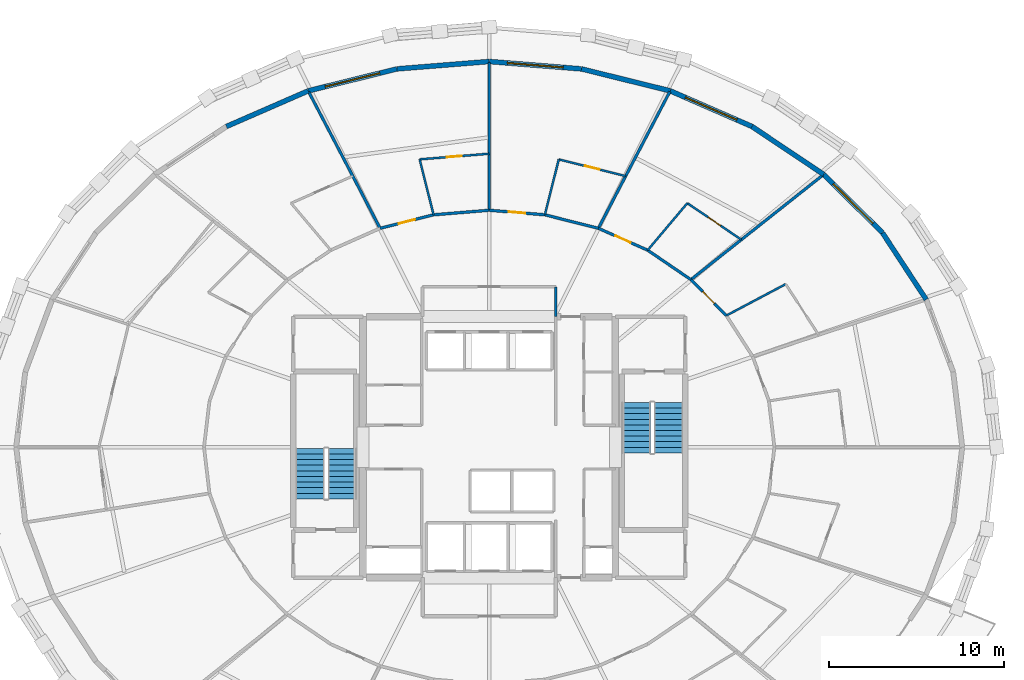
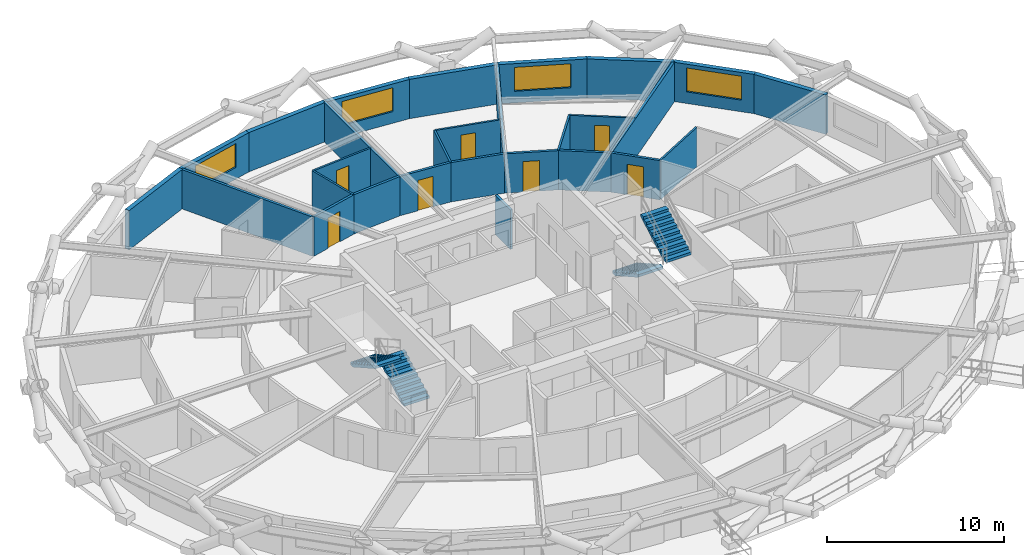
# One storey, part 13 of 14: 28 walls, 7 doors, 4 stair flights, 4 windows, 11 openings, 2 elements without a shape of their own.
"""IFC4 building model written with IfcOpenShell, lengths in metres."""

from ifc_helpers import new_model, si_unit, direction, frame, frame_2d, origin, place, context, subcontext, project, spatial, polyline, rectangle, outline, extrude, material, layer, layer_set, type_object, element, fill, aggregate, save


model = new_model("IFC4")

# Units and contexts
model_context = context("Model", 3, precision=1e-05, world=origin(), true_north=direction((0.0, 1.0)))
body_context = subcontext(model_context, "Body", "Model", "MODEL_VIEW")
ifc_project = project(units=[si_unit("LENGTHUNIT", "METRE"), si_unit("AREAUNIT", "SQUARE_METRE"), si_unit("VOLUMEUNIT", "CUBIC_METRE"), si_unit("PLANEANGLEUNIT", "RADIAN"), si_unit("MASSUNIT", "GRAM", prefix="KILO")], contexts=[model_context])

# Site, building, storey
site_placement = place(None, origin())
site = spatial("IfcSite", under=ifc_project, at=site_placement, CompositionType="ELEMENT")
building_placement = place(site_placement, origin())
building = spatial("IfcBuilding", under=site, at=building_placement, Name="Veldorina Hangang Commons", CompositionType="ELEMENT")
storey_placement = place(building_placement, frame((0.0, 0.0, 88.0)))
storey = spatial("IfcBuildingStorey", under=building, at=storey_placement, Name="L22", CompositionType="ELEMENT", Elevation=88.0)

# Wall
ifc_material_1 = material(Name="Stone Roman Travertine", Category="masonry")
ifc_layer_1 = layer(ifc_material_1, 0.280029296875)
ifc_layer_set_1 = layer_set([ifc_layer_1], Name="Stone Roman Travertine")
wall_type_1 = type_object("IfcWallType", Name="EW-TRAV-280", PredefinedType="STANDARD", material=ifc_layer_set_1)
wall_1_placement = place(storey_placement, frame((56.93701171875, 32.42138671875, 0.0), z_axis=(0.0, 0.0, 1.0), x_axis=(-0.548243756992, 0.836318589366, 0.0)))
element("IfcWall", 1, at=wall_1_placement, inside=storey, type_object=wall_type_1, Name="L22 travertine facade wall 02", PredefinedType="STANDARD", context=body_context, shape_type="SweptSolid", body=[
    extrude(rectangle(XDim=4.54931640625, YDim=0.280029296875, at=frame_2d((2.274658203125, 0.0))), origin(), (0.0, 0.0, 1.0), 2.7099609375),
])

# Wall, opening, window
wall_2_placement = place(storey_placement, frame((54.44287109375, 36.22607421875, 0.0), z_axis=(0.0, 0.0, 1.0), x_axis=(-0.709450520297, 0.704755247763, 0.0)))
wall_2 = element("IfcWall", 2, at=wall_2_placement, inside=storey, type_object=wall_type_1, Name="L22 travertine facade wall 03", PredefinedType="STANDARD", context=body_context, shape_type="SweptSolid", body=[
    extrude(rectangle(XDim=4.731689453125, YDim=0.280029296875, at=frame_2d((2.36572265625, 0.0))), origin(), (0.0, 0.0, 1.0), 2.7099609375),
])
opening_1_placement = place(wall_2_placement, frame((0.765869140625, 0.0, 0.800048828125)))
opening_1 = element("IfcOpeningElement", 3, at=opening_1_placement, cuts=wall_2, Name="Opening W-01", PredefinedType="OPENING", context=body_context, shape_type="SweptSolid", body=[
    extrude(rectangle(XDim=3.199951171875, YDim=1.64990234375, at=frame_2d((1.60009765625, 0.824951171875))), frame((0.0, 0.14990234375, 0.0), z_axis=(0.0, -1.0, 0.0), x_axis=(1.0, 0.0, 0.0)), (0.0, 0.0, 1.0), 0.300048828125),
])
ifc_material_2 = material(Name="Glass Low-E Triple IGU", Category="glass")
window_type = type_object("IfcWindowType", Name="WIN-TWR-3200", PartitioningType="SINGLE_PANEL", PredefinedType="WINDOW", material=ifc_material_2)
window_1_placement = place(opening_1_placement, origin())
window_1 = element("IfcWindow", 4, at=window_1_placement, inside=storey, type_object=window_type, Name="L22 facade window 03", OverallHeight=1.64990234375, OverallWidth=3.199951171875, PartitioningType="SINGLE_PANEL", PredefinedType="WINDOW", context=body_context, shape_type="SweptSolid", body=[
    extrude(rectangle(XDim=3.199951171875, YDim=1.64990234375, at=frame_2d((1.60009765625, 0.824951171875))), frame((0.0, 0.030029296875, 0.0), z_axis=(0.0, -1.0, 0.0), x_axis=(1.0, 0.0, 0.0)), (0.0, 0.0, 1.0), 0.06005859375),
])
fill(opening_1, window_1)

# Wall
wall_3_placement = place(storey_placement, frame((51.0859375, 39.560791015625, 0.0), z_axis=(0.0, 0.0, 1.0), x_axis=(-0.831102692713, 0.556118974829, 0.0)))
element("IfcWall", 5, at=wall_3_placement, inside=storey, type_object=wall_type_1, Name="L22 travertine facade wall 04", PredefinedType="STANDARD", context=body_context, shape_type="SweptSolid", body=[
    extrude(rectangle(XDim=4.92138671875, YDim=0.280029296875, at=frame_2d((2.460693359375, 0.0))), origin(), (0.0, 0.0, 1.0), 2.7099609375),
])

# Wall, opening, window
wall_4_placement = place(storey_placement, frame((46.995849609375, 42.297607421875, 0.0), z_axis=(0.0, 0.0, 1.0), x_axis=(-0.916744158445, 0.399474840205, 0.0)))
wall_4 = element("IfcWall", 6, at=wall_4_placement, inside=storey, type_object=wall_type_1, Name="L22 travertine facade wall 05", PredefinedType="STANDARD", context=body_context, shape_type="SweptSolid", body=[
    extrude(rectangle(XDim=5.09033203125, YDim=0.280029296875, at=frame_2d((2.545166015625, 0.0))), origin(), (0.0, 0.0, 1.0), 2.7099609375),
])
opening_2_placement = place(wall_4_placement, frame((0.9453125, 0.0, 0.800048828125)))
opening_2 = element("IfcOpeningElement", 7, at=opening_2_placement, cuts=wall_4, Name="Opening W-01", PredefinedType="OPENING", context=body_context, shape_type="SweptSolid", body=[
    extrude(rectangle(XDim=3.199951171875, YDim=1.64990234375, at=frame_2d((1.60009765625, 0.824951171875))), frame((0.0, 0.14990234375, 0.0), z_axis=(0.0, -1.0, 0.0), x_axis=(1.0, 0.0, 0.0)), (0.0, 0.0, 1.0), 0.300048828125),
])
window_2_placement = place(opening_2_placement, origin())
window_2 = element("IfcWindow", 8, at=window_2_placement, inside=storey, type_object=window_type, Name="L22 facade window 05", OverallHeight=1.64990234375, OverallWidth=3.199951171875, PartitioningType="SINGLE_PANEL", PredefinedType="WINDOW", context=body_context, shape_type="SweptSolid", body=[
    extrude(rectangle(XDim=3.199951171875, YDim=1.64990234375, at=frame_2d((1.60009765625, 0.824951171875))), frame((0.0, 0.030029296875, 0.0), z_axis=(0.0, -1.0, 0.0), x_axis=(1.0, 0.0, 0.0)), (0.0, 0.0, 1.0), 0.06005859375),
])
fill(opening_2, window_2)

# Wall
wall_5_placement = place(storey_placement, frame((42.329345703125, 44.3310546875, 0.0), z_axis=(0.0, 0.0, 1.0), x_axis=(-0.970745192344, 0.240111997913, 0.0)))
element("IfcWall", 9, at=wall_5_placement, inside=storey, type_object=wall_type_1, Name="L22 travertine facade wall 06", PredefinedType="STANDARD", context=body_context, shape_type="SweptSolid", body=[
    extrude(rectangle(XDim=5.216064453125, YDim=0.280029296875, at=frame_2d((2.60791015625, 0.0))), origin(), (0.0, 0.0, 1.0), 2.7099609375),
])

# Wall, opening, window
wall_6_placement = place(storey_placement, frame((37.265869140625, 45.58349609375, 0.0), z_axis=(0.0, 0.0, 1.0), x_axis=(-0.996795115288, 0.079996863302, 0.0)))
wall_6 = element("IfcWall", 10, at=wall_6_placement, inside=storey, type_object=wall_type_1, Name="L22 travertine facade wall 07", PredefinedType="STANDARD", context=body_context, shape_type="SweptSolid", body=[
    extrude(rectangle(XDim=5.28271484375, YDim=0.280029296875, at=frame_2d((2.641357421875, 0.0))), origin(), (0.0, 0.0, 1.0), 2.7099609375),
])
opening_3_placement = place(wall_6_placement, frame((1.04150390625, 0.0, 0.800048828125)))
opening_3 = element("IfcOpeningElement", 11, at=opening_3_placement, cuts=wall_6, Name="Opening W-01", PredefinedType="OPENING", context=body_context, shape_type="SweptSolid", body=[
    extrude(rectangle(XDim=3.199951171875, YDim=1.64990234375, at=frame_2d((1.60009765625, 0.824951171875))), frame((0.0, 0.14990234375, 0.0), z_axis=(0.0, -1.0, 0.0), x_axis=(1.0, 0.0, 0.0)), (0.0, 0.0, 1.0), 0.300048828125),
])
window_3_placement = place(opening_3_placement, origin())
window_3 = element("IfcWindow", 12, at=window_3_placement, inside=storey, type_object=window_type, Name="L22 facade window 07", OverallHeight=1.64990234375, OverallWidth=3.199951171875, PartitioningType="SINGLE_PANEL", PredefinedType="WINDOW", context=body_context, shape_type="SweptSolid", body=[
    extrude(rectangle(XDim=3.199951171875, YDim=1.64990234375, at=frame_2d((1.60009765625, 0.824951171875))), frame((0.0, 0.030029296875, 0.0), z_axis=(0.0, -1.0, 0.0), x_axis=(1.0, 0.0, 0.0)), (0.0, 0.0, 1.0), 0.06005859375),
])
fill(opening_3, window_3)

# Wall
wall_7_placement = place(storey_placement, frame((32.0, 46.006103515625, 0.0), z_axis=(0.0, 0.0, 1.0), x_axis=(-0.996795115288, -0.079996863302, 0.0)))
element("IfcWall", 13, at=wall_7_placement, inside=storey, type_object=wall_type_1, Name="L22 travertine facade wall 08", PredefinedType="STANDARD", context=body_context, shape_type="SweptSolid", body=[
    extrude(rectangle(XDim=5.28271484375, YDim=0.280029296875, at=frame_2d((2.641357421875, 0.0))), origin(), (0.0, 0.0, 1.0), 2.7099609375),
])

# Wall, opening, window
wall_8_placement = place(storey_placement, frame((26.734130859375, 45.58349609375, 0.0), z_axis=(0.0, 0.0, 1.0), x_axis=(-0.970745192344, -0.240111997913, 0.0)))
wall_8 = element("IfcWall", 14, at=wall_8_placement, inside=storey, type_object=wall_type_1, Name="L22 travertine facade wall 09", PredefinedType="STANDARD", context=body_context, shape_type="SweptSolid", body=[
    extrude(rectangle(XDim=5.216064453125, YDim=0.280029296875, at=frame_2d((2.60791015625, 0.0))), origin(), (0.0, 0.0, 1.0), 2.7099609375),
])
opening_4_placement = place(wall_8_placement, frame((1.008056640625, 0.0, 0.800048828125)))
opening_4 = element("IfcOpeningElement", 15, at=opening_4_placement, cuts=wall_8, Name="Opening W-01", PredefinedType="OPENING", context=body_context, shape_type="SweptSolid", body=[
    extrude(rectangle(XDim=3.199951171875, YDim=1.64990234375, at=frame_2d((1.60009765625, 0.824951171875))), frame((0.0, 0.14990234375, 0.0), z_axis=(0.0, -1.0, 0.0), x_axis=(1.0, 0.0, 0.0)), (0.0, 0.0, 1.0), 0.300048828125),
])
window_4_placement = place(opening_4_placement, origin())
window_4 = element("IfcWindow", 16, at=window_4_placement, inside=storey, type_object=window_type, Name="L22 facade window 09", OverallHeight=1.64990234375, OverallWidth=3.199951171875, PartitioningType="SINGLE_PANEL", PredefinedType="WINDOW", context=body_context, shape_type="SweptSolid", body=[
    extrude(rectangle(XDim=3.199951171875, YDim=1.64990234375, at=frame_2d((1.60009765625, 0.824951171875))), frame((0.0, 0.030029296875, 0.0), z_axis=(0.0, -1.0, 0.0), x_axis=(1.0, 0.0, 0.0)), (0.0, 0.0, 1.0), 0.06005859375),
])
fill(opening_4, window_4)

# Walls
wall_9_placement = place(storey_placement, frame((21.670654296875, 44.3310546875, 0.0), z_axis=(0.0, 0.0, 1.0), x_axis=(-0.916744158445, -0.399474840205, 0.0)))
element("IfcWall", 17, at=wall_9_placement, inside=storey, type_object=wall_type_1, Name="L22 travertine facade wall 10", PredefinedType="STANDARD", context=body_context, shape_type="SweptSolid", body=[
    extrude(rectangle(XDim=5.09033203125, YDim=0.280029296875, at=frame_2d((2.545166015625, 0.0))), origin(), (0.0, 0.0, 1.0), 2.7099609375),
])
ifc_material_3 = material(Name="Gypsum Fire-Rated Twin Stud Wall", Category="gypsum")
ifc_layer_2 = layer(ifc_material_3, 0.159912109375)
ifc_layer_set_2 = layer_set([ifc_layer_2], Name="Gypsum Fire-Rated Twin Stud Wall")
wall_type_2 = type_object("IfcWallType", Name="WL-FIRE-160", PredefinedType="SOLIDWALL", material=ifc_layer_set_2)
wall_10_placement = place(storey_placement, frame((35.800048828125, 31.449951171875, 0.0), z_axis=(0.0, 0.0, 1.0), x_axis=(0.0, 1.0, 0.0)))
element("IfcWall", 18, at=wall_10_placement, inside=storey, type_object=wall_type_2, Name="L22 North lobby east wall 033", PredefinedType="SOLIDWALL", context=body_context, shape_type="SweptSolid", body=[
    extrude(rectangle(XDim=1.699951171875, YDim=0.159912109375, at=frame_2d((0.85009765625, 0.0))), origin(), (0.0, 0.0, 1.0), 2.7099609375),
])

# Wall, opening, door
wall_11_placement = place(storey_placement, frame((45.53125, 31.51025390625, 0.0), z_axis=(0.0, 0.0, 1.0), x_axis=(-0.702811997, 0.711375636969, 0.0)))
wall_11 = element("IfcWall", 19, at=wall_11_placement, inside=storey, type_object=wall_type_2, Name="L22 Corridor outer wall 03 050", PredefinedType="SOLIDWALL", context=body_context, shape_type="SweptSolid", body=[
    extrude(rectangle(XDim=2.87939453125, YDim=0.159912109375, at=frame_2d((1.439697265625, 0.0))), origin(), (0.0, 0.0, 1.0), 2.7099609375),
])
opening_5_placement = place(wall_11_placement, frame((0.96484375, 0.0, 0.0)))
opening_5 = element("IfcOpeningElement", 20, at=opening_5_placement, cuts=wall_11, Name="Opening D-03", PredefinedType="OPENING", context=body_context, shape_type="SweptSolid", body=[
    extrude(rectangle(XDim=0.949951171875, YDim=2.10009765625, at=frame_2d((0.47509765625, 1.050048828125))), frame((0.0, 0.08984375, 0.0), z_axis=(0.0, -1.0, 0.0), x_axis=(1.0, 0.0, 0.0)), (0.0, 0.0, 1.0), 0.179931640625),
])
ifc_material_4 = material(Name="Timber Fire-Rated Entrance Core", Category="wood")
door_type_1 = type_object("IfcDoorType", Name="DR-UNIT-950", OperationType="SINGLE_SWING_RIGHT", PredefinedType="DOOR", material=ifc_material_4)
door_1_placement = place(opening_5_placement, origin())
door_1 = element("IfcDoor", 21, at=door_1_placement, inside=storey, type_object=door_type_1, Name="L22 Studio 5 entrance door 030", OperationType="SINGLE_SWING_RIGHT", OverallHeight=2.10009765625, OverallWidth=0.949951171875, PredefinedType="DOOR", context=body_context, shape_type="SweptSolid", body=[
    extrude(rectangle(XDim=0.949951171875, YDim=2.10009765625, at=frame_2d((0.47509765625, 1.050048828125))), frame((0.0, 0.02490234375, 0.0), z_axis=(0.0, -1.0, 0.0), x_axis=(1.0, 0.0, 0.0)), (0.0, 0.0, 1.0), 0.050048828125),
])
fill(opening_5, door_1)

# Wall
wall_12_placement = place(storey_placement, frame((43.507568359375, 33.55859375, 0.0), z_axis=(0.0, 0.0, 1.0), x_axis=(-0.826293096206, 0.56324037423, 0.0)))
element("IfcWall", 22, at=wall_12_placement, inside=storey, type_object=wall_type_2, Name="L22 Corridor outer wall 04 051", PredefinedType="SOLIDWALL", context=body_context, shape_type="SweptSolid", body=[
    extrude(rectangle(XDim=2.98486328125, YDim=0.159912109375, at=frame_2d((1.492431640625, 0.0))), origin(), (0.0, 0.0, 1.0), 2.7099609375),
])

# Wall, opening, door
wall_13_placement = place(storey_placement, frame((41.041259765625, 35.23974609375, 0.0), z_axis=(0.0, 0.0, 1.0), x_axis=(-0.913952123493, 0.405822024984, 0.0)))
wall_13 = element("IfcWall", 23, at=wall_13_placement, inside=storey, type_object=wall_type_2, Name="L22 Corridor outer wall 05 052", PredefinedType="SOLIDWALL", context=body_context, shape_type="SweptSolid", body=[
    extrude(rectangle(XDim=3.078369140625, YDim=0.159912109375, at=frame_2d((1.5390625, 0.0))), origin(), (0.0, 0.0, 1.0), 2.7099609375),
])
opening_6_placement = place(wall_13_placement, frame((1.064208984375, 0.0, 0.0)))
opening_6 = element("IfcOpeningElement", 24, at=opening_6_placement, cuts=wall_13, Name="Opening D-03", PredefinedType="OPENING", context=body_context, shape_type="SweptSolid", body=[
    extrude(rectangle(XDim=0.949951171875, YDim=2.10009765625, at=frame_2d((0.47509765625, 1.050048828125))), frame((0.0, 0.08984375, 0.0), z_axis=(0.0, -1.0, 0.0), x_axis=(1.0, 0.0, 0.0)), (0.0, 0.0, 1.0), 0.179931640625),
])
door_2_placement = place(opening_6_placement, origin())
door_2 = element("IfcDoor", 25, at=door_2_placement, inside=storey, type_object=door_type_1, Name="L22 Studio 6 entrance door 032", OperationType="SINGLE_SWING_RIGHT", OverallHeight=2.10009765625, OverallWidth=0.949951171875, PredefinedType="DOOR", context=body_context, shape_type="SweptSolid", body=[
    extrude(rectangle(XDim=0.949951171875, YDim=2.10009765625, at=frame_2d((0.47509765625, 1.050048828125))), frame((0.0, 0.02490234375, 0.0), z_axis=(0.0, -1.0, 0.0), x_axis=(1.0, 0.0, 0.0)), (0.0, 0.0, 1.0), 0.050048828125),
])
fill(opening_6, door_2)

# Wall
wall_14_placement = place(storey_placement, frame((38.227783203125, 36.489013671875, 0.0), z_axis=(0.0, 0.0, 1.0), x_axis=(-0.969689238064, 0.244341526521, 0.0)))
element("IfcWall", 26, at=wall_14_placement, inside=storey, type_object=wall_type_2, Name="L22 Corridor outer wall 06 053", PredefinedType="SOLIDWALL", context=body_context, shape_type="SweptSolid", body=[
    extrude(rectangle(XDim=3.1484375, YDim=0.159912109375, at=frame_2d((1.57421875, 0.0))), origin(), (0.0, 0.0, 1.0), 2.7099609375),
])

# Wall, opening, door
wall_15_placement = place(storey_placement, frame((35.1748046875, 37.25830078125, 0.0), z_axis=(0.0, 0.0, 1.0), x_axis=(-0.996669377538, 0.081548463373, 0.0)))
wall_15 = element("IfcWall", 27, at=wall_15_placement, inside=storey, type_object=wall_type_2, Name="L22 Corridor outer wall 07 054", PredefinedType="SOLIDWALL", context=body_context, shape_type="SweptSolid", body=[
    extrude(rectangle(XDim=3.185302734375, YDim=0.159912109375, at=frame_2d((1.5927734375, 0.0))), origin(), (0.0, 0.0, 1.0), 2.7099609375),
])
opening_7_placement = place(wall_15_placement, frame((1.117919921875, 0.0, 0.0)))
opening_7 = element("IfcOpeningElement", 28, at=opening_7_placement, cuts=wall_15, Name="Opening D-03", PredefinedType="OPENING", context=body_context, shape_type="SweptSolid", body=[
    extrude(rectangle(XDim=0.949951171875, YDim=2.10009765625, at=frame_2d((0.47509765625, 1.050048828125))), frame((0.0, 0.08984375, 0.0), z_axis=(0.0, -1.0, 0.0), x_axis=(1.0, 0.0, 0.0)), (0.0, 0.0, 1.0), 0.179931640625),
])
door_3_placement = place(opening_7_placement, origin())
door_3 = element("IfcDoor", 29, at=door_3_placement, inside=storey, type_object=door_type_1, Name="L22 Studio 7 entrance door 034", OperationType="SINGLE_SWING_RIGHT", OverallHeight=2.10009765625, OverallWidth=0.949951171875, PredefinedType="DOOR", context=body_context, shape_type="SweptSolid", body=[
    extrude(rectangle(XDim=0.949951171875, YDim=2.10009765625, at=frame_2d((0.47509765625, 1.050048828125))), frame((0.0, 0.02490234375, 0.0), z_axis=(0.0, -1.0, 0.0), x_axis=(1.0, 0.0, 0.0)), (0.0, 0.0, 1.0), 0.050048828125),
])
fill(opening_7, door_3)

# Wall
wall_16_placement = place(storey_placement, frame((32.0, 37.51806640625, 0.0), z_axis=(0.0, 0.0, 1.0), x_axis=(-0.996669377538, -0.081548463373, 0.0)))
element("IfcWall", 30, at=wall_16_placement, inside=storey, type_object=wall_type_2, Name="L22 Corridor outer wall 08 055", PredefinedType="SOLIDWALL", context=body_context, shape_type="SweptSolid", body=[
    extrude(rectangle(XDim=3.185302734375, YDim=0.159912109375, at=frame_2d((1.5927734375, 0.0))), origin(), (0.0, 0.0, 1.0), 2.7099609375),
])

# Wall, opening, door
wall_17_placement = place(storey_placement, frame((28.8251953125, 37.25830078125, 0.0), z_axis=(0.0, 0.0, 1.0), x_axis=(-0.969689238064, -0.244341526521, 0.0)))
wall_17 = element("IfcWall", 31, at=wall_17_placement, inside=storey, type_object=wall_type_2, Name="L22 Corridor outer wall 09 056", PredefinedType="SOLIDWALL", context=body_context, shape_type="SweptSolid", body=[
    extrude(rectangle(XDim=3.1484375, YDim=0.159912109375, at=frame_2d((1.57421875, 0.0))), origin(), (0.0, 0.0, 1.0), 2.7099609375),
])
opening_8_placement = place(wall_17_placement, frame((1.09912109375, 0.0, 0.0)))
opening_8 = element("IfcOpeningElement", 32, at=opening_8_placement, cuts=wall_17, Name="Opening D-03", PredefinedType="OPENING", context=body_context, shape_type="SweptSolid", body=[
    extrude(rectangle(XDim=0.949951171875, YDim=2.10009765625, at=frame_2d((0.47509765625, 1.050048828125))), frame((0.0, 0.08984375, 0.0), z_axis=(0.0, -1.0, 0.0), x_axis=(1.0, 0.0, 0.0)), (0.0, 0.0, 1.0), 0.179931640625),
])
door_4_placement = place(opening_8_placement, origin())
door_4 = element("IfcDoor", 33, at=door_4_placement, inside=storey, type_object=door_type_1, Name="L22 Studio 8 entrance door 036", OperationType="SINGLE_SWING_RIGHT", OverallHeight=2.10009765625, OverallWidth=0.949951171875, PredefinedType="DOOR", context=body_context, shape_type="SweptSolid", body=[
    extrude(rectangle(XDim=0.949951171875, YDim=2.10009765625, at=frame_2d((0.47509765625, 1.050048828125))), frame((0.0, 0.02490234375, 0.0), z_axis=(0.0, -1.0, 0.0), x_axis=(1.0, 0.0, 0.0)), (0.0, 0.0, 1.0), 0.050048828125),
])
fill(opening_8, door_4)

# Walls
wall_18_placement = place(storey_placement, frame((43.507568359375, 33.55859375, 0.0), z_axis=(0.0, 0.0, 1.0), x_axis=(0.783915576776, 0.620867432298, 0.0)))
element("IfcWall", 34, at=wall_18_placement, inside=storey, type_object=wall_type_2, Name="L22 Unit party wall 04 096", PredefinedType="SOLIDWALL", context=body_context, shape_type="SweptSolid", body=[
    extrude(rectangle(XDim=9.617431640625, YDim=0.159912109375, at=frame_2d((4.80859375, 0.0))), origin(), (0.0, 0.0, 1.0), 2.7099609375),
])
wall_19_placement = place(storey_placement, frame((38.227783203125, 36.489013671875, 0.0), z_axis=(0.0, 0.0, 1.0), x_axis=(0.463452284004, 0.886121876748, 0.0)))
element("IfcWall", 35, at=wall_19_placement, inside=storey, type_object=wall_type_2, Name="L22 Unit party wall 06 099", PredefinedType="SOLIDWALL", context=body_context, shape_type="SweptSolid", body=[
    extrude(rectangle(XDim=8.800048828125, YDim=0.159912109375, at=frame_2d((4.39990234375, 0.0))), origin(), (0.0, 0.0, 1.0), 2.7099609375),
])
wall_20_placement = place(storey_placement, frame((32.0, 37.51806640625, 0.0), z_axis=(0.0, 0.0, 1.0), x_axis=(0.0, 1.0, 0.0)))
element("IfcWall", 36, at=wall_20_placement, inside=storey, type_object=wall_type_2, Name="L22 Unit party wall 08 102", PredefinedType="SOLIDWALL", context=body_context, shape_type="SweptSolid", body=[
    extrude(rectangle(XDim=8.438232421875, YDim=0.159912109375, at=frame_2d((4.21923828125, 0.0))), origin(), (0.0, 0.0, 1.0), 2.7099609375),
])
wall_21_placement = place(storey_placement, frame((25.772216796875, 36.489013671875, 0.0), z_axis=(0.0, 0.0, 1.0), x_axis=(-0.463452284004, 0.886121876748, 0.0)))
element("IfcWall", 37, at=wall_21_placement, inside=storey, type_object=wall_type_2, Name="L22 Unit party wall 10 105", PredefinedType="SOLIDWALL", context=body_context, shape_type="SweptSolid", body=[
    extrude(rectangle(XDim=8.800048828125, YDim=0.159912109375, at=frame_2d((4.39990234375, 0.0))), origin(), (0.0, 0.0, 1.0), 2.7099609375),
])
ifc_material_5 = material(Name="Gypsum Acoustic Stud Partition", Category="gypsum")
ifc_layer_3 = layer(ifc_material_5, 0.1201171875)
ifc_layer_set_3 = layer_set([ifc_layer_3], Name="Gypsum Acoustic Stud Partition")
wall_type_3 = type_object("IfcWallType", Name="WL-PART-120", PredefinedType="PARTITIONING", material=ifc_layer_set_3)
wall_22_placement = place(storey_placement, frame((45.53125, 31.51025390625, 0.0), z_axis=(0.0, 0.0, 1.0), x_axis=(0.883879348267, 0.46771497486, 0.0)))
element("IfcWall", 38, at=wall_22_placement, inside=storey, type_object=wall_type_3, Name="L22 Studio 5 bath side wall 095", PredefinedType="PARTITIONING", context=body_context, shape_type="SweptSolid", body=[
    extrude(rectangle(XDim=3.831298828125, YDim=0.1201171875, at=frame_2d((1.91552734375, 0.0))), origin(), (0.0, 0.0, 1.0), 2.7099609375),
])

# Wall, opening, door
wall_23_placement = place(storey_placement, frame((46.38720703125, 35.839599609375, 0.0), z_axis=(0.0, 0.0, 1.0), x_axis=(-0.828744435989, 0.559627250781, 0.0)))
wall_23 = element("IfcWall", 39, at=wall_23_placement, inside=storey, type_object=wall_type_3, Name="L22 Studio 6 bath front wall 097", PredefinedType="PARTITIONING", context=body_context, shape_type="SweptSolid", body=[
    extrude(rectangle(XDim=3.720458984375, YDim=0.1201171875, at=frame_2d((1.8603515625, 0.0))), origin(), (0.0, 0.0, 1.0), 2.7099609375),
])
opening_9_placement = place(wall_23_placement, frame((1.430419921875, 0.0, 0.0)))
opening_9 = element("IfcOpeningElement", 40, at=opening_9_placement, cuts=wall_23, Name="Opening D-01", PredefinedType="OPENING", context=body_context, shape_type="SweptSolid", body=[
    extrude(rectangle(XDim=0.860107421875, YDim=2.10009765625, at=frame_2d((0.43017578125, 1.050048828125))), frame((0.0, 0.070068359375, 0.0), z_axis=(0.0, -1.0, 0.0), x_axis=(1.0, 0.0, 0.0)), (0.0, 0.0, 1.0), 0.14013671875),
])
ifc_material_6 = material(Name="Timber Moisture-Resistant Core", Category="wood")
door_type_2 = type_object("IfcDoorType", Name="DR-WET-860", OperationType="SINGLE_SWING_LEFT", PredefinedType="DOOR", material=ifc_material_6)
door_5_placement = place(opening_9_placement, origin())
door_5 = element("IfcDoor", 41, at=door_5_placement, inside=storey, type_object=door_type_2, Name="L22 Studio 6 bathroom door 031", OperationType="SINGLE_SWING_LEFT", OverallHeight=2.10009765625, OverallWidth=0.860107421875, PredefinedType="DOOR", context=body_context, shape_type="SweptSolid", body=[
    extrude(rectangle(XDim=0.860107421875, YDim=2.10009765625, at=frame_2d((0.43017578125, 1.050048828125))), frame((0.0, 0.02490234375, 0.0), z_axis=(0.0, -1.0, 0.0), x_axis=(1.0, 0.0, 0.0)), (0.0, 0.0, 1.0), 0.050048828125),
])
fill(opening_9, door_5)

# Wall
wall_24_placement = place(storey_placement, frame((41.041259765625, 35.23974609375, 0.0), z_axis=(0.0, 0.0, 1.0), x_axis=(0.644846806951, 0.764311844449, 0.0)))
element("IfcWall", 42, at=wall_24_placement, inside=storey, type_object=wall_type_3, Name="L22 Studio 6 bath side wall 098", PredefinedType="PARTITIONING", context=body_context, shape_type="SweptSolid", body=[
    extrude(rectangle(XDim=3.5087890625, YDim=0.1201171875, at=frame_2d((1.75439453125, 0.0))), origin(), (0.0, 0.0, 1.0), 2.7099609375),
])

# Wall, opening, door
wall_25_placement = place(storey_placement, frame((39.786376953125, 39.468994140625, 0.0), z_axis=(0.0, 0.0, 1.0), x_axis=(-0.970222757972, 0.242214367684, 0.0)))
wall_25 = element("IfcWall", 43, at=wall_25_placement, inside=storey, type_object=wall_type_3, Name="L22 Studio 7 bath front wall 100", PredefinedType="PARTITIONING", context=body_context, shape_type="SweptSolid", body=[
    extrude(rectangle(XDim=3.93408203125, YDim=0.1201171875, at=frame_2d((1.967041015625, 0.0))), origin(), (0.0, 0.0, 1.0), 2.7099609375),
])
opening_10_placement = place(wall_25_placement, frame((1.537109375, 0.0, 0.0)))
opening_10 = element("IfcOpeningElement", 44, at=opening_10_placement, cuts=wall_25, Name="Opening D-01", PredefinedType="OPENING", context=body_context, shape_type="SweptSolid", body=[
    extrude(rectangle(XDim=0.860107421875, YDim=2.10009765625, at=frame_2d((0.43017578125, 1.050048828125))), frame((0.0, 0.070068359375, 0.0), z_axis=(0.0, -1.0, 0.0), x_axis=(1.0, 0.0, 0.0)), (0.0, 0.0, 1.0), 0.14013671875),
])
door_6_placement = place(opening_10_placement, origin())
door_6 = element("IfcDoor", 45, at=door_6_placement, inside=storey, type_object=door_type_2, Name="L22 Studio 7 bathroom door 033", OperationType="SINGLE_SWING_LEFT", OverallHeight=2.10009765625, OverallWidth=0.860107421875, PredefinedType="DOOR", context=body_context, shape_type="SweptSolid", body=[
    extrude(rectangle(XDim=0.860107421875, YDim=2.10009765625, at=frame_2d((0.43017578125, 1.050048828125))), frame((0.0, 0.02490234375, 0.0), z_axis=(0.0, -1.0, 0.0), x_axis=(1.0, 0.0, 0.0)), (0.0, 0.0, 1.0), 0.050048828125),
])
fill(opening_10, door_6)

# Wall
wall_26_placement = place(storey_placement, frame((35.1748046875, 37.25830078125, 0.0), z_axis=(0.0, 0.0, 1.0), x_axis=(0.243627358745, 0.96986891386, 0.0)))
element("IfcWall", 46, at=wall_26_placement, inside=storey, type_object=wall_type_3, Name="L22 Studio 7 bath side wall 101", PredefinedType="PARTITIONING", context=body_context, shape_type="SweptSolid", body=[
    extrude(rectangle(XDim=3.261962890625, YDim=0.1201171875, at=frame_2d((1.630859375, 0.0))), origin(), (0.0, 0.0, 1.0), 2.7099609375),
])

# Wall, opening, door
wall_27_placement = place(storey_placement, frame((32.0, 40.743408203125, 0.0), z_axis=(0.0, 0.0, 1.0), x_axis=(-0.996735451166, -0.08073685892, 0.0)))
wall_27 = element("IfcWall", 47, at=wall_27_placement, inside=storey, type_object=wall_type_3, Name="L22 Studio 8 bath front wall 103", PredefinedType="PARTITIONING", context=body_context, shape_type="SweptSolid", body=[
    extrude(rectangle(XDim=3.982421875, YDim=0.1201171875, at=frame_2d((1.9912109375, 0.0))), origin(), (0.0, 0.0, 1.0), 2.7099609375),
])
opening_11_placement = place(wall_27_placement, frame((1.561279296875, 0.0, 0.0)))
opening_11 = element("IfcOpeningElement", 48, at=opening_11_placement, cuts=wall_27, Name="Opening D-01", PredefinedType="OPENING", context=body_context, shape_type="SweptSolid", body=[
    extrude(rectangle(XDim=0.860107421875, YDim=2.10009765625, at=frame_2d((0.43017578125, 1.050048828125))), frame((0.0, 0.070068359375, 0.0), z_axis=(0.0, -1.0, 0.0), x_axis=(1.0, 0.0, 0.0)), (0.0, 0.0, 1.0), 0.14013671875),
])
door_7_placement = place(opening_11_placement, origin())
door_7 = element("IfcDoor", 49, at=door_7_placement, inside=storey, type_object=door_type_2, Name="L22 Studio 8 bathroom door 035", OperationType="SINGLE_SWING_LEFT", OverallHeight=2.10009765625, OverallWidth=0.860107421875, PredefinedType="DOOR", context=body_context, shape_type="SweptSolid", body=[
    extrude(rectangle(XDim=0.860107421875, YDim=2.10009765625, at=frame_2d((0.43017578125, 1.050048828125))), frame((0.0, 0.02490234375, 0.0), z_axis=(0.0, -1.0, 0.0), x_axis=(1.0, 0.0, 0.0)), (0.0, 0.0, 1.0), 0.050048828125),
])
fill(opening_11, door_7)

# Wall
wall_28_placement = place(storey_placement, frame((28.8251953125, 37.25830078125, 0.0), z_axis=(0.0, 0.0, 1.0), x_axis=(-0.243627358745, 0.96986891386, 0.0)))
element("IfcWall", 50, at=wall_28_placement, inside=storey, type_object=wall_type_3, Name="L22 Studio 8 bath side wall 104", PredefinedType="PARTITIONING", context=body_context, shape_type="SweptSolid", body=[
    extrude(rectangle(XDim=3.261962890625, YDim=0.1201171875, at=frame_2d((1.630859375, 0.0))), origin(), (0.0, 0.0, 1.0), 2.7099609375),
])

# Stair, stair flights
ifc_material_7 = material(Name="Concrete C40/50", Category="concrete")
stair_type = type_object("IfcStairType", Name="STR-DOG-1650-20R", PredefinedType="HALF_TURN_STAIR", material=ifc_material_7)
stair_1_placement = place(storey_placement, origin())
stair_1 = element("IfcStair", 51, at=stair_1_placement, inside=storey, type_object=stair_type, Name="L22 Exit stair ST-1", PredefinedType="HALF_TURN_STAIR")
stair_flight_type = type_object("IfcStairFlightType", Name="SFL-STR-1650-20R", PredefinedType="STRAIGHT", material=ifc_material_7)
stair_flight_1_placement = place(storey_placement, frame((23.625, 21.050048828125, 0.0), z_axis=(0.0, 0.0, 1.0), x_axis=(0.0, 1.0, 0.0)))
stair_flight_1 = element("IfcStairFlight", 52, at=stair_flight_1_placement, type_object=stair_flight_type, Name="ST-1 flight 1", NumberOfRisers=10, NumberOfTreads=9, PredefinedType="STRAIGHT", RiserHeight=0.18, TreadLength=0.32, context=body_context, shape_type="SweptSolid", body=[
    extrude(outline(polyline([(0.0, 0.0), (0.0, 0.179931640625), (0.320068359375, 0.179931640625), (0.320068359375, 0.360107421875), (0.639892578125, 0.360107421875), (0.639892578125, 0.5400390625), (0.9599609375, 0.5400390625), (0.9599609375, 0.719970703125), (1.280029296875, 0.719970703125), (1.280029296875, 0.89990234375), (1.60009765625, 0.89990234375), (1.60009765625, 1.080078125), (1.919921875, 1.080078125), (1.919921875, 1.260009765625), (2.239990234375, 1.260009765625), (2.239990234375, 1.43994140625), (2.56005859375, 1.43994140625), (2.56005859375, 1.6201171875), (2.8798828125, 1.6201171875), (2.8798828125, 1.800048828125), (2.8798828125, 1.447998046875), (0.3056640625, 0.0), (0.0, 0.0)])), frame((0.0, 0.824951171875, 0.0), z_axis=(0.0, -1.0, 0.0), x_axis=(1.0, 0.0, 0.0)), (0.0, 0.0, 1.0), 1.64990234375),
])
stair_flight_2_placement = place(storey_placement, frame((21.77490234375, 23.929931640625, 1.800048828125), z_axis=(0.0, 0.0, 1.0), x_axis=(0.0, -1.0, 0.0)))
stair_flight_2 = element("IfcStairFlight", 53, at=stair_flight_2_placement, type_object=stair_flight_type, Name="ST-1 flight 2", NumberOfRisers=10, NumberOfTreads=9, PredefinedType="STRAIGHT", RiserHeight=0.18, TreadLength=0.32, context=body_context, shape_type="SweptSolid", body=[
    extrude(outline(polyline([(0.0, 0.0), (0.0, 0.179931640625), (0.320068359375, 0.179931640625), (0.320068359375, 0.360107421875), (0.639892578125, 0.360107421875), (0.639892578125, 0.5400390625), (0.9599609375, 0.5400390625), (0.9599609375, 0.719970703125), (1.280029296875, 0.719970703125), (1.280029296875, 0.89990234375), (1.60009765625, 0.89990234375), (1.60009765625, 1.080078125), (1.919921875, 1.080078125), (1.919921875, 1.260009765625), (2.239990234375, 1.260009765625), (2.239990234375, 1.43994140625), (2.56005859375, 1.43994140625), (2.56005859375, 1.6201171875), (2.8798828125, 1.6201171875), (2.8798828125, 1.800048828125), (2.8798828125, 1.447998046875), (0.3056640625, 0.0), (0.0, 0.0)])), frame((0.0, 0.824951171875, 0.0), z_axis=(0.0, -1.0, 0.0), x_axis=(1.0, 0.0, 0.0)), (0.0, 0.0, 1.0), 1.64990234375),
])
aggregate(stair_1, [stair_flight_1, stair_flight_2])

stair_2_placement = place(storey_placement, origin())
stair_2 = element("IfcStair", 54, at=stair_2_placement, inside=storey, type_object=stair_type, Name="L22 Exit stair ST-2", PredefinedType="HALF_TURN_STAIR")
stair_flight_3_placement = place(storey_placement, frame((40.375, 26.550048828125, 0.0), z_axis=(0.0, 0.0, 1.0), x_axis=(0.0, -1.0, 0.0)))
stair_flight_3 = element("IfcStairFlight", 55, at=stair_flight_3_placement, type_object=stair_flight_type, Name="ST-2 flight 1", NumberOfRisers=10, NumberOfTreads=9, PredefinedType="STRAIGHT", RiserHeight=0.18, TreadLength=0.32, context=body_context, shape_type="SweptSolid", body=[
    extrude(outline(polyline([(0.0, 0.0), (0.0, 0.179931640625), (0.320068359375, 0.179931640625), (0.320068359375, 0.360107421875), (0.639892578125, 0.360107421875), (0.639892578125, 0.5400390625), (0.9599609375, 0.5400390625), (0.9599609375, 0.719970703125), (1.280029296875, 0.719970703125), (1.280029296875, 0.89990234375), (1.60009765625, 0.89990234375), (1.60009765625, 1.080078125), (1.919921875, 1.080078125), (1.919921875, 1.260009765625), (2.239990234375, 1.260009765625), (2.239990234375, 1.43994140625), (2.56005859375, 1.43994140625), (2.56005859375, 1.6201171875), (2.8798828125, 1.6201171875), (2.8798828125, 1.800048828125), (2.8798828125, 1.447998046875), (0.3056640625, 0.0), (0.0, 0.0)])), frame((0.0, 0.824951171875, 0.0), z_axis=(0.0, -1.0, 0.0), x_axis=(1.0, 0.0, 0.0)), (0.0, 0.0, 1.0), 1.64990234375),
])
stair_flight_4_placement = place(storey_placement, frame((42.22509765625, 23.669921875, 1.800048828125), z_axis=(0.0, 0.0, 1.0), x_axis=(0.0, 1.0, 0.0)))
stair_flight_4 = element("IfcStairFlight", 56, at=stair_flight_4_placement, type_object=stair_flight_type, Name="ST-2 flight 2", NumberOfRisers=10, NumberOfTreads=9, PredefinedType="STRAIGHT", RiserHeight=0.18, TreadLength=0.32, context=body_context, shape_type="SweptSolid", body=[
    extrude(outline(polyline([(0.0, 0.0), (0.0, 0.179931640625), (0.320068359375, 0.179931640625), (0.320068359375, 0.360107421875), (0.639892578125, 0.360107421875), (0.639892578125, 0.5400390625), (0.9599609375, 0.5400390625), (0.9599609375, 0.719970703125), (1.280029296875, 0.719970703125), (1.280029296875, 0.89990234375), (1.60009765625, 0.89990234375), (1.60009765625, 1.080078125), (1.919921875, 1.080078125), (1.919921875, 1.260009765625), (2.239990234375, 1.260009765625), (2.239990234375, 1.43994140625), (2.56005859375, 1.43994140625), (2.56005859375, 1.6201171875), (2.8798828125, 1.6201171875), (2.8798828125, 1.800048828125), (2.8798828125, 1.447998046875), (0.3056640625, 0.0), (0.0, 0.0)])), frame((0.0, 0.824951171875, 0.0), z_axis=(0.0, -1.0, 0.0), x_axis=(1.0, 0.0, 0.0)), (0.0, 0.0, 1.0), 1.64990234375),
])
aggregate(stair_2, [stair_flight_3, stair_flight_4])

save(model, "model.ifc")
